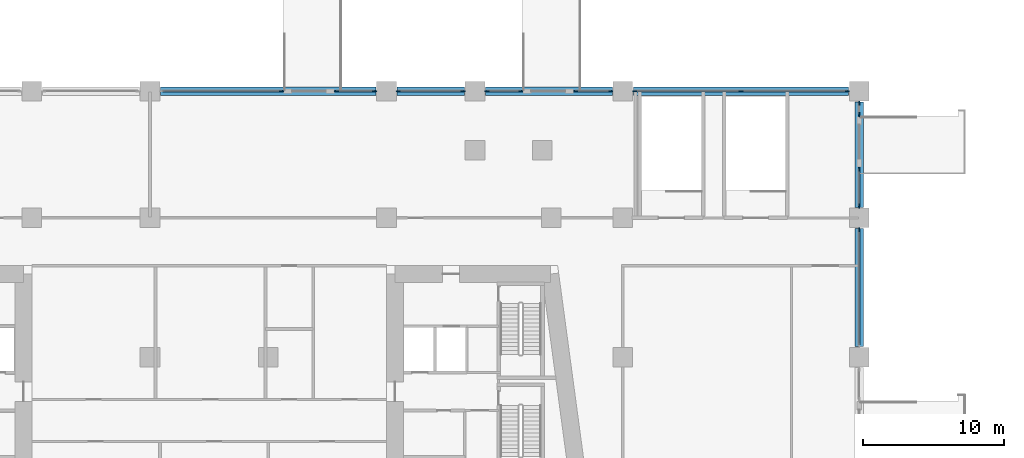
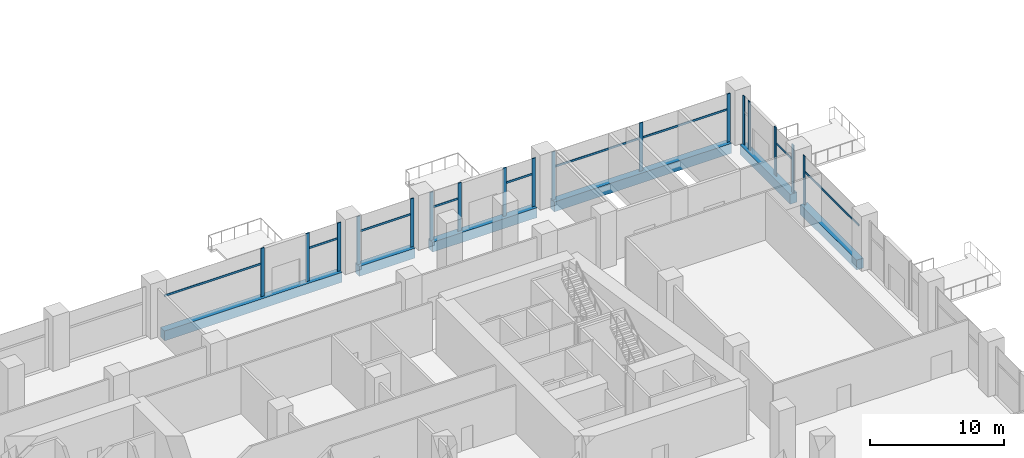
# One storey, part 8 of 33: 26 members, 6 beams, 9 elements without a shape of their own.
"""IFC4 building model written with IfcOpenShell, lengths in metres."""

from ifc_helpers import new_model, si_unit, direction, frame, origin, origin_2d, place, context, subcontext, project, spatial, rectangle, extrude, material, material_profile, profile_set, type_object, element, aggregate, save


model = new_model("IFC4")

# Units and contexts
model_context = context("Model", 3, precision=1e-05, world=origin(), true_north=direction((0.0, 1.0)))
body_context = subcontext(model_context, "Body", "Model", "MODEL_VIEW")
ifc_project = project(units=[si_unit("LENGTHUNIT", "METRE"), si_unit("AREAUNIT", "SQUARE_METRE"), si_unit("VOLUMEUNIT", "CUBIC_METRE"), si_unit("PLANEANGLEUNIT", "RADIAN"), si_unit("MASSUNIT", "GRAM", prefix="KILO")], contexts=[model_context])

# Site, building, storey
site_placement = place(None, origin())
site = spatial("IfcSite", under=ifc_project, at=site_placement, CompositionType="ELEMENT")
building_placement = place(site_placement, origin())
building = spatial("IfcBuilding", under=site, at=building_placement, Name="Candeia Pilgrim Tower and Theatre", CompositionType="ELEMENT")
storey_placement = place(building_placement, frame((0.0, 0.0, 29.0)))
storey = spatial("IfcBuildingStorey", under=building, at=storey_placement, Name="L04", CompositionType="ELEMENT", Elevation=29.0)

# Curtain wall, member
ifc_material_1 = material(Name="Aluminium framed podium glazing", Category="aluminium")
curtain_wall_type = type_object("IfcCurtainWallType", Name="CW-P curtain wall", PredefinedType="NOTDEFINED", material=ifc_material_1)
curtain_wall_1_placement = place(storey_placement, origin())
curtain_wall_1 = element("IfcCurtainWall", 1, at=curtain_wall_1_placement, inside=storey, type_object=curtain_wall_type, Name="Curtain wall CW-P L04.130", PredefinedType="NOTDEFINED")
ifc_material_2 = material(Name="Anodised aluminium", Category="aluminium")
ifc_material_profile_1 = material_profile(ifc_material_2, rectangle(XDim=0.080078125, YDim=0.300048828125, at=origin_2d()))
ifc_profile_set_1 = profile_set([ifc_material_profile_1], Name="Anodised aluminium")
member_type_1 = type_object("IfcMemberType", Name="CW-P mullion 80x300", PredefinedType="MULLION", material=ifc_profile_set_1)
member_1_placement = place(storey_placement, frame((118.550048828125, 144.800048828125, 0.0), z_axis=(0.0, 0.0, 1.0), x_axis=(0.0, 1.0, 0.0)))
member_1 = element("IfcMember", 2, at=member_1_placement, type_object=member_type_1, Name="CW-P mullion 2", PredefinedType="MULLION", context=body_context, shape_type="SweptSolid", body=[
    extrude(rectangle(XDim=0.080078125, YDim=0.300048828125, at=origin_2d()), origin(), (0.0, 0.0, 1.0), 4.39990234375),
])

# Curtain wall, members
curtain_wall_2_placement = place(storey_placement, origin())
curtain_wall_2 = element("IfcCurtainWall", 3, at=curtain_wall_2_placement, inside=storey, type_object=curtain_wall_type, Name="Curtain wall CW-P L04.131", PredefinedType="NOTDEFINED")
member_2_placement = place(storey_placement, frame((122.449951171875, 144.800048828125, 0.0), z_axis=(0.0, 0.0, 1.0), x_axis=(0.0, 1.0, 0.0)))
member_2 = element("IfcMember", 4, at=member_2_placement, type_object=member_type_1, Name="CW-P mullion 1", PredefinedType="MULLION", context=body_context, shape_type="SweptSolid", body=[
    extrude(rectangle(XDim=0.080078125, YDim=0.300048828125, at=origin_2d()), origin(), (0.0, 0.0, 1.0), 4.39990234375),
])
member_3_placement = place(storey_placement, frame((125.14990234375, 144.800048828125, 0.0), z_axis=(0.0, 0.0, 1.0), x_axis=(0.0, 1.0, 0.0)))
member_3 = element("IfcMember", 5, at=member_3_placement, type_object=member_type_1, Name="CW-P mullion 2", PredefinedType="MULLION", context=body_context, shape_type="SweptSolid", body=[
    extrude(rectangle(XDim=0.080078125, YDim=0.300048828125, at=origin_2d()), origin(), (0.0, 0.0, 1.0), 4.39990234375),
])

curtain_wall_3_placement = place(storey_placement, origin())
curtain_wall_3 = element("IfcCurtainWall", 6, at=curtain_wall_3_placement, inside=storey, type_object=curtain_wall_type, Name="Curtain wall CW-P L04.140", PredefinedType="NOTDEFINED")
member_4_placement = place(storey_placement, frame((126.85009765625, 144.800048828125, 0.0), z_axis=(0.0, 0.0, 1.0), x_axis=(0.0, 1.0, 0.0)))
member_4 = element("IfcMember", 7, at=member_4_placement, type_object=member_type_1, Name="CW-P mullion 1", PredefinedType="MULLION", context=body_context, shape_type="SweptSolid", body=[
    extrude(rectangle(XDim=0.080078125, YDim=0.300048828125, at=origin_2d()), origin(), (0.0, 0.0, 1.0), 4.39990234375),
])
member_5_placement = place(storey_placement, frame((131.449951171875, 144.800048828125, 0.0), z_axis=(0.0, 0.0, 1.0), x_axis=(0.0, 1.0, 0.0)))
member_5 = element("IfcMember", 8, at=member_5_placement, type_object=member_type_1, Name="CW-P mullion 2", PredefinedType="MULLION", context=body_context, shape_type="SweptSolid", body=[
    extrude(rectangle(XDim=0.080078125, YDim=0.300048828125, at=origin_2d()), origin(), (0.0, 0.0, 1.0), 4.39990234375),
])

curtain_wall_4_placement = place(storey_placement, origin())
curtain_wall_4 = element("IfcCurtainWall", 9, at=curtain_wall_4_placement, inside=storey, type_object=curtain_wall_type, Name="Curtain wall CW-P L04.150", PredefinedType="NOTDEFINED")
member_6_placement = place(storey_placement, frame((133.14990234375, 144.800048828125, 0.0), z_axis=(0.0, 0.0, 1.0), x_axis=(0.0, 1.0, 0.0)))
member_6 = element("IfcMember", 10, at=member_6_placement, type_object=member_type_1, Name="CW-P mullion 1", PredefinedType="MULLION", context=body_context, shape_type="SweptSolid", body=[
    extrude(rectangle(XDim=0.080078125, YDim=0.300048828125, at=origin_2d()), origin(), (0.0, 0.0, 1.0), 4.39990234375),
])
member_7_placement = place(storey_placement, frame((135.550048828125, 144.800048828125, 0.0), z_axis=(0.0, 0.0, 1.0), x_axis=(0.0, 1.0, 0.0)))
member_7 = element("IfcMember", 11, at=member_7_placement, type_object=member_type_1, Name="CW-P mullion 2", PredefinedType="MULLION", context=body_context, shape_type="SweptSolid", body=[
    extrude(rectangle(XDim=0.080078125, YDim=0.300048828125, at=origin_2d()), origin(), (0.0, 0.0, 1.0), 4.39990234375),
])

curtain_wall_5_placement = place(storey_placement, origin())
curtain_wall_5 = element("IfcCurtainWall", 12, at=curtain_wall_5_placement, inside=storey, type_object=curtain_wall_type, Name="Curtain wall CW-P L04.151", PredefinedType="NOTDEFINED")
member_8_placement = place(storey_placement, frame((139.449951171875, 144.800048828125, 0.0), z_axis=(0.0, 0.0, 1.0), x_axis=(0.0, 1.0, 0.0)))
member_8 = element("IfcMember", 13, at=member_8_placement, type_object=member_type_1, Name="CW-P mullion 1", PredefinedType="MULLION", context=body_context, shape_type="SweptSolid", body=[
    extrude(rectangle(XDim=0.080078125, YDim=0.300048828125, at=origin_2d()), origin(), (0.0, 0.0, 1.0), 4.39990234375),
])
member_9_placement = place(storey_placement, frame((141.949951171875, 144.800048828125, 0.0), z_axis=(0.0, 0.0, 1.0), x_axis=(0.0, 1.0, 0.0)))
member_9 = element("IfcMember", 14, at=member_9_placement, type_object=member_type_1, Name="CW-P mullion 2", PredefinedType="MULLION", context=body_context, shape_type="SweptSolid", body=[
    extrude(rectangle(XDim=0.080078125, YDim=0.300048828125, at=origin_2d()), origin(), (0.0, 0.0, 1.0), 4.39990234375),
])

curtain_wall_6_placement = place(storey_placement, origin())
curtain_wall_6 = element("IfcCurtainWall", 15, at=curtain_wall_6_placement, inside=storey, type_object=curtain_wall_type, Name="Curtain wall CW-P L04.160", PredefinedType="NOTDEFINED")
member_10_placement = place(storey_placement, frame((143.64990234375, 144.800048828125, 0.0), z_axis=(0.0, 0.0, 1.0), x_axis=(0.0, 1.0, 0.0)))
member_10 = element("IfcMember", 16, at=member_10_placement, type_object=member_type_1, Name="CW-P mullion 1", PredefinedType="MULLION", context=body_context, shape_type="SweptSolid", body=[
    extrude(rectangle(XDim=0.080078125, YDim=0.300048828125, at=origin_2d()), origin(), (0.0, 0.0, 1.0), 4.39990234375),
])
member_11_placement = place(storey_placement, frame((151.199951171875, 144.800048828125, 0.0), z_axis=(0.0, 0.0, 1.0), x_axis=(0.0, 1.0, 0.0)))
member_11 = element("IfcMember", 17, at=member_11_placement, type_object=member_type_1, Name="CW-P mullion 2", PredefinedType="MULLION", context=body_context, shape_type="SweptSolid", body=[
    extrude(rectangle(XDim=0.080078125, YDim=0.300048828125, at=origin_2d()), origin(), (0.0, 0.0, 1.0), 4.39990234375),
])
member_12_placement = place(storey_placement, frame((158.75, 144.800048828125, 0.0), z_axis=(0.0, 0.0, 1.0), x_axis=(0.0, 1.0, 0.0)))
member_12 = element("IfcMember", 18, at=member_12_placement, type_object=member_type_1, Name="CW-P mullion 3", PredefinedType="MULLION", context=body_context, shape_type="SweptSolid", body=[
    extrude(rectangle(XDim=0.080078125, YDim=0.300048828125, at=origin_2d()), origin(), (0.0, 0.0, 1.0), 4.39990234375),
])

curtain_wall_7_placement = place(storey_placement, origin())
curtain_wall_7 = element("IfcCurtainWall", 19, at=curtain_wall_7_placement, inside=storey, type_object=curtain_wall_type, Name="Curtain wall CW-P L04.200", PredefinedType="NOTDEFINED")
member_13_placement = place(storey_placement, frame((159.60009765625, 143.949951171875, 0.0), z_axis=(0.0, 0.0, 1.0), x_axis=(1.0, 0.0, 0.0)))
member_13 = element("IfcMember", 20, at=member_13_placement, type_object=member_type_1, Name="CW-P mullion 1", PredefinedType="MULLION", context=body_context, shape_type="SweptSolid", body=[
    extrude(rectangle(XDim=0.080078125, YDim=0.300048828125, at=origin_2d()), origin(), (0.0, 0.0, 1.0), 4.39990234375),
])
member_14_placement = place(storey_placement, frame((159.60009765625, 143.14990234375, 0.0), z_axis=(0.0, 0.0, 1.0), x_axis=(1.0, 0.0, 0.0)))
member_14 = element("IfcMember", 21, at=member_14_placement, type_object=member_type_1, Name="CW-P mullion 2", PredefinedType="MULLION", context=body_context, shape_type="SweptSolid", body=[
    extrude(rectangle(XDim=0.080078125, YDim=0.300048828125, at=origin_2d()), origin(), (0.0, 0.0, 1.0), 4.39990234375),
])
aggregate(curtain_wall_7, [member_13, member_14])

curtain_wall_8_placement = place(storey_placement, origin())
curtain_wall_8 = element("IfcCurtainWall", 22, at=curtain_wall_8_placement, inside=storey, type_object=curtain_wall_type, Name="Curtain wall CW-P L04.201", PredefinedType="NOTDEFINED")
member_15_placement = place(storey_placement, frame((159.60009765625, 139.25, 0.0), z_axis=(0.0, 0.0, 1.0), x_axis=(1.0, 0.0, 0.0)))
member_15 = element("IfcMember", 23, at=member_15_placement, type_object=member_type_1, Name="CW-P mullion 1", PredefinedType="MULLION", context=body_context, shape_type="SweptSolid", body=[
    extrude(rectangle(XDim=0.080078125, YDim=0.300048828125, at=origin_2d()), origin(), (0.0, 0.0, 1.0), 4.39990234375),
])
member_16_placement = place(storey_placement, frame((159.60009765625, 136.64990234375, 0.0), z_axis=(0.0, 0.0, 1.0), x_axis=(1.0, 0.0, 0.0)))
member_16 = element("IfcMember", 24, at=member_16_placement, type_object=member_type_1, Name="CW-P mullion 2", PredefinedType="MULLION", context=body_context, shape_type="SweptSolid", body=[
    extrude(rectangle(XDim=0.080078125, YDim=0.300048828125, at=origin_2d()), origin(), (0.0, 0.0, 1.0), 4.39990234375),
])

# Curtain wall, member
curtain_wall_9_placement = place(storey_placement, origin())
curtain_wall_9 = element("IfcCurtainWall", 25, at=curtain_wall_9_placement, inside=storey, type_object=curtain_wall_type, Name="Curtain wall CW-P L04.210", PredefinedType="NOTDEFINED")
member_17_placement = place(storey_placement, frame((159.60009765625, 134.949951171875, 0.0), z_axis=(0.0, 0.0, 1.0), x_axis=(1.0, 0.0, 0.0)))
member_17 = element("IfcMember", 26, at=member_17_placement, type_object=member_type_1, Name="CW-P mullion 1", PredefinedType="MULLION", context=body_context, shape_type="SweptSolid", body=[
    extrude(rectangle(XDim=0.080078125, YDim=0.300048828125, at=origin_2d()), origin(), (0.0, 0.0, 1.0), 4.39990234375),
])

# Member
ifc_material_profile_2 = material_profile(ifc_material_2, rectangle(XDim=0.080078125, YDim=0.179931640625, at=origin_2d()))
ifc_profile_set_2 = profile_set([ifc_material_profile_2], Name="Anodised aluminium")
member_type_2 = type_object("IfcMemberType", Name="CW-P transom 80x180", PredefinedType="USERDEFINED", material=ifc_profile_set_2)
member_18_placement = place(storey_placement, frame((110.090087890625, 144.800048828125, 3.0), z_axis=(1.0, 0.0, 0.0), x_axis=(0.0, 1.0, 0.0)))
member_18 = element("IfcMember", 27, at=member_18_placement, type_object=member_type_2, Name="CW-P transom 1.1", ObjectType="TRANSOM", PredefinedType="USERDEFINED", context=body_context, shape_type="SweptSolid", body=[
    extrude(rectangle(XDim=0.080078125, YDim=0.179931640625, at=origin_2d()), origin(), (0.0, 0.0, 1.0), 8.419921875),
])

aggregate(curtain_wall_1, [member_1, member_18])

member_19_placement = place(storey_placement, frame((122.489990234375, 144.800048828125, 3.0), z_axis=(1.0, 0.0, 0.0), x_axis=(0.0, 1.0, 0.0)))
member_19 = element("IfcMember", 28, at=member_19_placement, type_object=member_type_2, Name="CW-P transom 1.1", ObjectType="TRANSOM", PredefinedType="USERDEFINED", context=body_context, shape_type="SweptSolid", body=[
    extrude(rectangle(XDim=0.080078125, YDim=0.179931640625, at=origin_2d()), origin(), (0.0, 0.0, 1.0), 2.6201171875),
])

aggregate(curtain_wall_2, [member_2, member_3, member_19])

member_20_placement = place(storey_placement, frame((126.889892578125, 144.800048828125, 3.0), z_axis=(1.0, 0.0, 0.0), x_axis=(0.0, 1.0, 0.0)))
member_20 = element("IfcMember", 29, at=member_20_placement, type_object=member_type_2, Name="CW-P transom 1.1", ObjectType="TRANSOM", PredefinedType="USERDEFINED", context=body_context, shape_type="SweptSolid", body=[
    extrude(rectangle(XDim=0.080078125, YDim=0.179931640625, at=origin_2d()), origin(), (0.0, 0.0, 1.0), 4.52001953125),
])

aggregate(curtain_wall_3, [member_4, member_5, member_20])

member_21_placement = place(storey_placement, frame((133.18994140625, 144.800048828125, 3.0), z_axis=(1.0, 0.0, 0.0), x_axis=(0.0, 1.0, 0.0)))
member_21 = element("IfcMember", 30, at=member_21_placement, type_object=member_type_2, Name="CW-P transom 1.1", ObjectType="TRANSOM", PredefinedType="USERDEFINED", context=body_context, shape_type="SweptSolid", body=[
    extrude(rectangle(XDim=0.080078125, YDim=0.179931640625, at=origin_2d()), origin(), (0.0, 0.0, 1.0), 2.320068359375),
])

aggregate(curtain_wall_4, [member_6, member_7, member_21])

member_22_placement = place(storey_placement, frame((139.489990234375, 144.800048828125, 3.0), z_axis=(1.0, 0.0, 0.0), x_axis=(0.0, 1.0, 0.0)))
member_22 = element("IfcMember", 31, at=member_22_placement, type_object=member_type_2, Name="CW-P transom 1.1", ObjectType="TRANSOM", PredefinedType="USERDEFINED", context=body_context, shape_type="SweptSolid", body=[
    extrude(rectangle(XDim=0.080078125, YDim=0.179931640625, at=origin_2d()), origin(), (0.0, 0.0, 1.0), 2.419921875),
])

aggregate(curtain_wall_5, [member_8, member_9, member_22])

member_23_placement = place(storey_placement, frame((143.68994140625, 144.800048828125, 3.0), z_axis=(1.0, 0.0, 0.0), x_axis=(0.0, 1.0, 0.0)))
member_23 = element("IfcMember", 32, at=member_23_placement, type_object=member_type_2, Name="CW-P transom 1.1", ObjectType="TRANSOM", PredefinedType="USERDEFINED", context=body_context, shape_type="SweptSolid", body=[
    extrude(rectangle(XDim=0.080078125, YDim=0.179931640625, at=origin_2d()), origin(), (0.0, 0.0, 1.0), 7.469970703125),
])

member_24_placement = place(storey_placement, frame((151.239990234375, 144.800048828125, 3.0), z_axis=(1.0, 0.0, 0.0), x_axis=(0.0, 1.0, 0.0)))
member_24 = element("IfcMember", 33, at=member_24_placement, type_object=member_type_2, Name="CW-P transom 2.1", ObjectType="TRANSOM", PredefinedType="USERDEFINED", context=body_context, shape_type="SweptSolid", body=[
    extrude(rectangle(XDim=0.080078125, YDim=0.179931640625, at=origin_2d()), origin(), (0.0, 0.0, 1.0), 7.469970703125),
])

aggregate(curtain_wall_6, [member_10, member_11, member_12, member_23, member_24])

member_25_placement = place(storey_placement, frame((159.60009765625, 139.2099609375, 3.0), z_axis=(0.0, -1.0, 0.0), x_axis=(1.0, 0.0, 0.0)))
member_25 = element("IfcMember", 34, at=member_25_placement, type_object=member_type_2, Name="CW-P transom 1.1", ObjectType="TRANSOM", PredefinedType="USERDEFINED", context=body_context, shape_type="SweptSolid", body=[
    extrude(rectangle(XDim=0.080078125, YDim=0.179931640625, at=origin_2d()), origin(), (0.0, 0.0, 1.0), 2.52001953125),
])

aggregate(curtain_wall_8, [member_15, member_16, member_25])

member_26_placement = place(storey_placement, frame((159.60009765625, 134.909912109375, 3.0), z_axis=(0.0, -1.0, 0.0), x_axis=(1.0, 0.0, 0.0)))
member_26 = element("IfcMember", 35, at=member_26_placement, type_object=member_type_2, Name="CW-P transom 1.1", ObjectType="TRANSOM", PredefinedType="USERDEFINED", context=body_context, shape_type="SweptSolid", body=[
    extrude(rectangle(XDim=0.080078125, YDim=0.179931640625, at=origin_2d()), origin(), (0.0, 0.0, 1.0), 8.119873046875),
])

aggregate(curtain_wall_9, [member_17, member_26])

# Beams
ifc_material_3 = material(Name="Concrete C80/95", Category="concrete")
ifc_material_profile_3 = material_profile(ifc_material_3, rectangle(XDim=0.60009765625, YDim=0.89990234375, at=origin_2d()))
ifc_profile_set_3 = profile_set([ifc_material_profile_3], Name="Concrete C80/95")
beam_type = type_object("IfcBeamType", Name="RC 600x900 C80/95", PredefinedType="BEAM", material=ifc_profile_set_3)
beam_1_placement = place(storey_placement, frame((159.60009765625, 126.64990234375, -0.449951171875), z_axis=(0.0, 1.0, 0.0), x_axis=(-1.0, 0.0, 0.0)))
element("IfcBeam", 36, at=beam_1_placement, inside=storey, type_object=beam_type, Name="Spandrel beam L04-05", PredefinedType="BEAM", context=body_context, shape_type="SweptSolid", body=[
    extrude(rectangle(XDim=0.60009765625, YDim=0.89990234375, at=origin_2d()), origin(), (0.0, 0.0, 1.0), 8.400146484375),
])
beam_2_placement = place(storey_placement, frame((159.60009765625, 136.550048828125, -0.449951171875), z_axis=(0.0, 1.0, 0.0), x_axis=(-1.0, 0.0, 0.0)))
element("IfcBeam", 37, at=beam_2_placement, inside=storey, type_object=beam_type, Name="Spandrel beam L04-06", PredefinedType="BEAM", context=body_context, shape_type="SweptSolid", body=[
    extrude(rectangle(XDim=0.60009765625, YDim=0.89990234375, at=origin_2d()), origin(), (0.0, 0.0, 1.0), 7.5),
])
beam_3_placement = place(storey_placement, frame((158.85009765625, 144.800048828125, -0.449951171875), z_axis=(-1.0, 0.0, 0.0), x_axis=(0.0, -1.0, 0.0)))
element("IfcBeam", 38, at=beam_3_placement, inside=storey, type_object=beam_type, Name="Spandrel beam L04-07", PredefinedType="BEAM", context=body_context, shape_type="SweptSolid", body=[
    extrude(rectangle(XDim=0.60009765625, YDim=0.89990234375, at=origin_2d()), origin(), (0.0, 0.0, 1.0), 15.300048828125),
])
beam_4_placement = place(storey_placement, frame((142.050048828125, 144.800048828125, -0.449951171875), z_axis=(-1.0, 0.0, 0.0), x_axis=(0.0, -1.0, 0.0)))
element("IfcBeam", 39, at=beam_4_placement, inside=storey, type_object=beam_type, Name="Spandrel beam L04-08", PredefinedType="BEAM", context=body_context, shape_type="SweptSolid", body=[
    extrude(rectangle(XDim=0.60009765625, YDim=0.89990234375, at=origin_2d()), origin(), (0.0, 0.0, 1.0), 9.0),
])
beam_5_placement = place(storey_placement, frame((131.550048828125, 144.800048828125, -0.449951171875), z_axis=(-1.0, 0.0, 0.0), x_axis=(0.0, -1.0, 0.0)))
element("IfcBeam", 40, at=beam_5_placement, inside=storey, type_object=beam_type, Name="Spandrel beam L04-09", PredefinedType="BEAM", context=body_context, shape_type="SweptSolid", body=[
    extrude(rectangle(XDim=0.60009765625, YDim=0.89990234375, at=origin_2d()), origin(), (0.0, 0.0, 1.0), 4.800048828125),
])
beam_6_placement = place(storey_placement, frame((125.25, 144.800048828125, -0.449951171875), z_axis=(-1.0, 0.0, 0.0), x_axis=(0.0, -1.0, 0.0)))
element("IfcBeam", 41, at=beam_6_placement, inside=storey, type_object=beam_type, Name="Spandrel beam L04-10", PredefinedType="BEAM", context=body_context, shape_type="SweptSolid", body=[
    extrude(rectangle(XDim=0.60009765625, YDim=0.89990234375, at=origin_2d()), origin(), (0.0, 0.0, 1.0), 15.300048828125),
])

save(model, "model.ifc")
